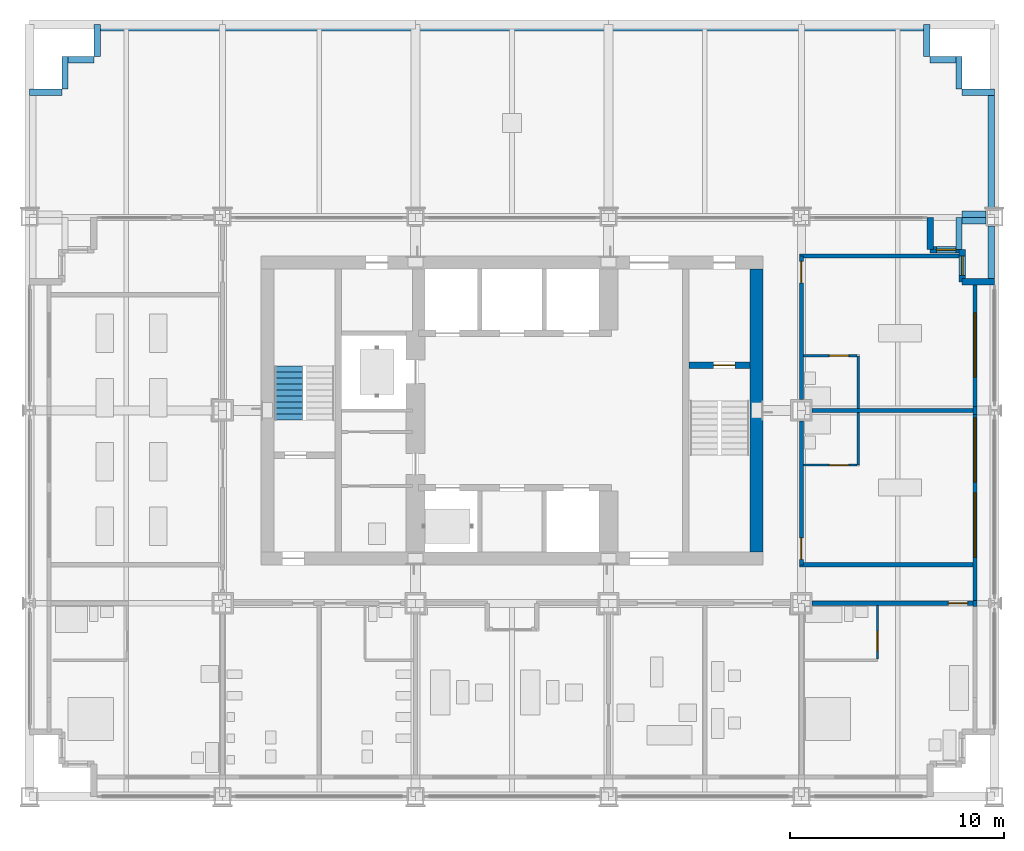
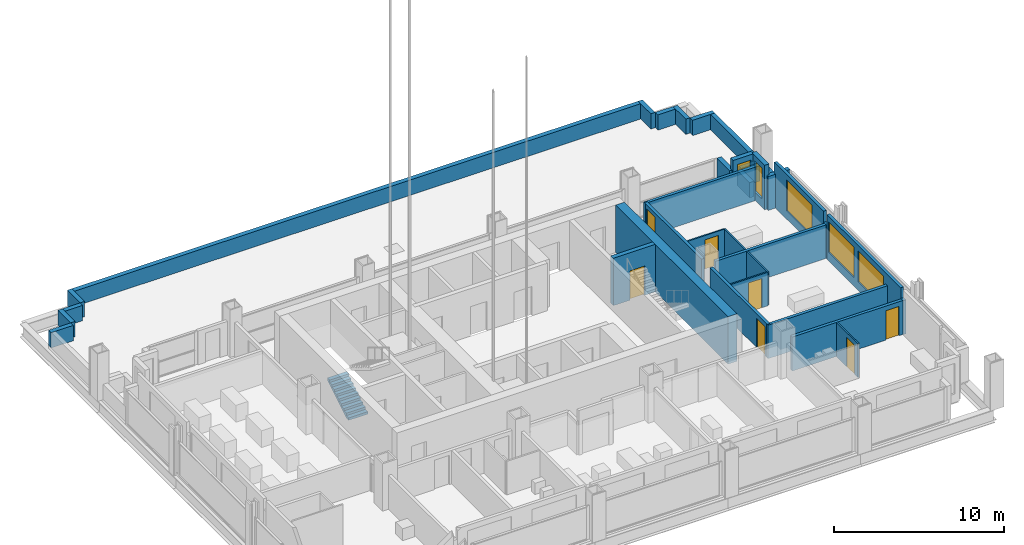
# One storey, part 10 of 15: 35 walls, 7 doors, 5 windows, 1 stair flight, 12 openings, 1 element without a shape of its own.
"""IFC4 building model written with IfcOpenShell, lengths in metres."""

from ifc_helpers import new_model, si_unit, direction, frame, frame_2d, origin, place, context, subcontext, project, spatial, polyline, rectangle, outline, extrude, material, layer, layer_set, type_object, element, fill, aggregate, save


model = new_model("IFC4")

# Units and contexts
model_context = context("Model", 3, precision=1e-05, world=origin(), true_north=direction((0.0, 1.0)))
body_context = subcontext(model_context, "Body", "Model", "MODEL_VIEW")
ifc_project = project(units=[si_unit("LENGTHUNIT", "METRE"), si_unit("AREAUNIT", "SQUARE_METRE"), si_unit("VOLUMEUNIT", "CUBIC_METRE"), si_unit("PLANEANGLEUNIT", "RADIAN"), si_unit("MASSUNIT", "GRAM", prefix="KILO")], contexts=[model_context])

# Site, building, storey
site_placement = place(None, origin())
site = spatial("IfcSite", under=ifc_project, at=site_placement, CompositionType="ELEMENT")
building_placement = place(site_placement, origin())
building = spatial("IfcBuilding", under=site, at=building_placement, Name="Loomwork Tower", CompositionType="ELEMENT")
storey_placement = place(building_placement, frame((0.0, 0.0, 160.39990234375)))
storey = spatial("IfcBuildingStorey", under=building, at=storey_placement, Name="L43", CompositionType="ELEMENT", Elevation=160.39990234375)

# Wall, opening, door
ifc_material_1 = material(Name="Concrete 14000 psi (97 MPa)", Category="concrete")
ifc_layer_1 = layer(ifc_material_1, 0.300048828125)
ifc_layer_set_1 = layer_set([ifc_layer_1], Name="Core shear wall 300")
wall_type_1 = type_object("IfcWallType", Name="Core shear wall 300", PredefinedType="SHEAR", material=ifc_layer_set_1)
wall_1_placement = place(storey_placement, frame((30.75, 20.10009765625, 0.0), z_axis=(0.0, 0.0, 1.0), x_axis=(1.0, 0.0, 0.0)))
wall_1 = element("IfcWall", 1, at=wall_1_placement, inside=storey, type_object=wall_type_1, Name="Stair B north wall L43", PredefinedType="SHEAR", context=body_context, shape_type="SweptSolid", body=[
    extrude(rectangle(XDim=2.85009765625, YDim=0.300048828125, at=frame_2d((1.425048828125, 0.0))), origin(), (0.0, 0.0, 1.0), 3.400146484375),
])
opening_1_placement = place(wall_1_placement, frame((1.14990234375, 0.0, 0.0)))
opening_1 = element("IfcOpeningElement", 2, at=opening_1_placement, cuts=wall_1, Name="Opening D4", PredefinedType="OPENING", context=body_context, shape_type="SweptSolid", body=[
    extrude(rectangle(XDim=1.0, YDim=2.10009765625, at=frame_2d((0.5, 1.050048828125))), frame((0.0, 0.159912109375, 0.0), z_axis=(0.0, -1.0, 0.0), x_axis=(1.0, 0.0, 0.0)), (0.0, 0.0, 1.0), 0.320068359375),
])
ifc_material_2 = material(Name="Hollow metal door and frame")
door_type_1 = type_object("IfcDoorType", Name="Stair door 1000", OperationType="SINGLE_SWING_RIGHT", PredefinedType="DOOR", material=ifc_material_2)
door_1_placement = place(opening_1_placement, frame((1.0, 0.0, 0.0), z_axis=(0.0, 0.0, 1.0), x_axis=(-1.0, 0.0, 0.0)))
door_1 = element("IfcDoor", 3, at=door_1_placement, inside=storey, type_object=door_type_1, Name="Stair B door", OperationType="SINGLE_SWING_LEFT", OverallHeight=2.10009765625, OverallWidth=1.0, PredefinedType="DOOR", context=body_context, shape_type="SweptSolid", body=[
    extrude(rectangle(XDim=1.0, YDim=2.10009765625, at=frame_2d((0.5, 1.050048828125))), frame((0.0, 0.02490234375, 0.0), z_axis=(0.0, -1.0, 0.0), x_axis=(1.0, 0.0, 0.0)), (0.0, 0.0, 1.0), 0.050048828125),
])
fill(opening_1, door_1)

# Wall
ifc_material_3 = material(Name="Concrete 14000 psi (97 MPa)", Category="concrete")
ifc_layer_2 = layer(ifc_material_3, 0.60009765625)
ifc_layer_set_2 = layer_set([ifc_layer_2], Name="Core shear wall 600")
wall_type_2 = type_object("IfcWallType", Name="Core shear wall 600", PredefinedType="SHEAR", material=ifc_layer_set_2)
wall_2_placement = place(storey_placement, frame((33.89990234375, 11.39990234375, 0.0), z_axis=(0.0, 0.0, 1.0), x_axis=(0.0, 1.0, 0.0)))
element("IfcWall", 4, at=wall_2_placement, inside=storey, type_object=wall_type_2, Name="Core wall east L43", PredefinedType="SHEAR", context=body_context, shape_type="SweptSolid", body=[
    extrude(rectangle(XDim=13.2001953125, YDim=0.60009765625, at=frame_2d((6.60009765625, 0.0))), origin(), (0.0, 0.0, 1.0), 3.400146484375),
])

# Wall, opening, door
ifc_material_4 = material(Name="Gypsum board on steel studs, one-hour", Category="steel")
ifc_layer_3 = layer(ifc_material_4, 0.199951171875)
ifc_layer_set_3 = layer_set([ifc_layer_3], Name="Corridor wall 200")
wall_type_3 = type_object("IfcWallType", Name="Corridor wall 200", PredefinedType="PARTITIONING", material=ifc_layer_set_3)
wall_3_placement = place(storey_placement, frame((36.5, 9.0, 0.0), z_axis=(0.0, 0.0, 1.0), x_axis=(1.0, 0.0, 0.0)))
wall_3 = element("IfcWall", 5, at=wall_3_placement, inside=storey, type_object=wall_type_3, Name="South corridor wall 5", PredefinedType="PARTITIONING", context=body_context, shape_type="SweptSolid", body=[
    extrude(rectangle(XDim=7.5, YDim=0.199951171875, at=frame_2d((3.75, 0.0))), origin(), (0.0, 0.0, 1.0), 2.43798828125),
])
opening_2_placement = place(wall_3_placement, frame((6.35009765625, 0.0, 0.0)))
opening_2 = element("IfcOpeningElement", 6, at=opening_2_placement, cuts=wall_3, Name="Opening D1", PredefinedType="OPENING", context=body_context, shape_type="SweptSolid", body=[
    extrude(rectangle(XDim=0.89990234375, YDim=2.10009765625, at=frame_2d((0.449951171875, 1.050048828125))), frame((0.0, 0.10986328125, 0.0), z_axis=(0.0, -1.0, 0.0), x_axis=(1.0, 0.0, 0.0)), (0.0, 0.0, 1.0), 0.219970703125),
])
ifc_material_5 = material(Name="Hollow metal door and frame")
door_type_2 = type_object("IfcDoorType", Name="Guest room entry door 900", OperationType="SINGLE_SWING_LEFT", PredefinedType="DOOR", material=ifc_material_5)
door_2_placement = place(opening_2_placement, frame((0.89990234375, 0.0, 0.0), z_axis=(0.0, 0.0, 1.0), x_axis=(-1.0, 0.0, 0.0)))
door_2 = element("IfcDoor", 7, at=door_2_placement, inside=storey, type_object=door_type_2, Name="Guest room entry door L43 7", OperationType="SINGLE_SWING_LEFT", OverallHeight=2.10009765625, OverallWidth=0.89990234375, PredefinedType="DOOR", context=body_context, shape_type="SweptSolid", body=[
    extrude(rectangle(XDim=0.89990234375, YDim=2.10009765625, at=frame_2d((0.449951171875, 1.050048828125))), frame((0.0, 0.02490234375, 0.0), z_axis=(0.0, -1.0, 0.0), x_axis=(1.0, 0.0, 0.0)), (0.0, 0.0, 1.0), 0.050048828125),
])
fill(opening_2, door_2)

wall_4_placement = place(storey_placement, frame((36.0, 10.800048828125, 0.0), z_axis=(0.0, 0.0, 1.0), x_axis=(0.0, 1.0, 0.0)))
wall_4 = element("IfcWall", 8, at=wall_4_placement, inside=storey, type_object=wall_type_3, Name="East corridor wall 1", PredefinedType="PARTITIONING", context=body_context, shape_type="SweptSolid", body=[
    extrude(rectangle(XDim=6.699951171875, YDim=0.199951171875, at=frame_2d((3.35009765625, 0.0))), origin(), (0.0, 0.0, 1.0), 2.405029296875),
])
opening_3_placement = place(wall_4_placement, frame((0.25, 0.0, 0.0)))
opening_3 = element("IfcOpeningElement", 9, at=opening_3_placement, cuts=wall_4, Name="Opening D15", PredefinedType="OPENING", context=body_context, shape_type="SweptSolid", body=[
    extrude(rectangle(XDim=1.0, YDim=2.10009765625, at=frame_2d((0.5, 1.050048828125))), frame((0.0, 0.10986328125, 0.0), z_axis=(0.0, -1.0, 0.0), x_axis=(1.0, 0.0, 0.0)), (0.0, 0.0, 1.0), 0.219970703125),
])
ifc_material_6 = material(Name="Hollow metal door and frame")
door_type_3 = type_object("IfcDoorType", Name="Fire-rated room door 1000", OperationType="SINGLE_SWING_LEFT", PredefinedType="DOOR", material=ifc_material_6)
door_3_placement = place(opening_3_placement, frame((1.0, 0.0, 0.0), z_axis=(0.0, 0.0, 1.0), x_axis=(-1.0, 0.0, 0.0)))
door_3 = element("IfcDoor", 10, at=door_3_placement, inside=storey, type_object=door_type_3, Name="Spa treatment room door L43 9", OperationType="SINGLE_SWING_RIGHT", OverallHeight=2.10009765625, OverallWidth=1.0, PredefinedType="DOOR", context=body_context, shape_type="SweptSolid", body=[
    extrude(rectangle(XDim=1.0, YDim=2.10009765625, at=frame_2d((0.5, 1.050048828125))), frame((0.0, 0.02490234375, 0.0), z_axis=(0.0, -1.0, 0.0), x_axis=(1.0, 0.0, 0.0)), (0.0, 0.0, 1.0), 0.050048828125),
])
fill(opening_3, door_3)

wall_5_placement = place(storey_placement, frame((36.0, 18.5, 0.0), z_axis=(0.0, 0.0, 1.0), x_axis=(0.0, 1.0, 0.0)))
wall_5 = element("IfcWall", 11, at=wall_5_placement, inside=storey, type_object=wall_type_3, Name="East corridor wall 2", PredefinedType="PARTITIONING", context=body_context, shape_type="SweptSolid", body=[
    extrude(rectangle(XDim=6.699951171875, YDim=0.199951171875, at=frame_2d((3.35009765625, 0.0))), origin(), (0.0, 0.0, 1.0), 2.405029296875),
])
opening_4_placement = place(wall_5_placement, frame((5.449951171875, 0.0, 0.0)))
opening_4 = element("IfcOpeningElement", 12, at=opening_4_placement, cuts=wall_5, Name="Opening D15", PredefinedType="OPENING", context=body_context, shape_type="SweptSolid", body=[
    extrude(rectangle(XDim=1.0, YDim=2.10009765625, at=frame_2d((0.5, 1.050048828125))), frame((0.0, 0.10986328125, 0.0), z_axis=(0.0, -1.0, 0.0), x_axis=(1.0, 0.0, 0.0)), (0.0, 0.0, 1.0), 0.219970703125),
])
door_4_placement = place(opening_4_placement, frame((1.0, 0.0, 0.0), z_axis=(0.0, 0.0, 1.0), x_axis=(-1.0, 0.0, 0.0)))
door_4 = element("IfcDoor", 13, at=door_4_placement, inside=storey, type_object=door_type_3, Name="Spa treatment room door L43 10", OperationType="SINGLE_SWING_LEFT", OverallHeight=2.10009765625, OverallWidth=1.0, PredefinedType="DOOR", context=body_context, shape_type="SweptSolid", body=[
    extrude(rectangle(XDim=1.0, YDim=2.10009765625, at=frame_2d((0.5, 1.050048828125))), frame((0.0, 0.02490234375, 0.0), z_axis=(0.0, -1.0, 0.0), x_axis=(1.0, 0.0, 0.0)), (0.0, 0.0, 1.0), 0.050048828125),
])
fill(opening_4, door_4)

# Walls
wall_6_placement = place(storey_placement, frame((35.89990234375, 10.800048828125, 0.0), z_axis=(0.0, 0.0, 1.0), x_axis=(1.0, 0.0, 0.0)))
element("IfcWall", 14, at=wall_6_placement, inside=storey, type_object=wall_type_3, Name="East band end wall S", PredefinedType="PARTITIONING", context=body_context, shape_type="SweptSolid", body=[
    extrude(rectangle(XDim=8.10009765625, YDim=0.199951171875, at=frame_2d((4.050048828125, 0.0))), origin(), (0.0, 0.0, 1.0), 2.404052734375),
])
wall_7_placement = place(storey_placement, frame((35.89990234375, 25.199951171875, 0.0), z_axis=(0.0, 0.0, 1.0), x_axis=(1.0, 0.0, 0.0)))
element("IfcWall", 15, at=wall_7_placement, inside=storey, type_object=wall_type_3, Name="East band end wall N", PredefinedType="PARTITIONING", context=body_context, shape_type="SweptSolid", body=[
    extrude(rectangle(XDim=7.4501953125, YDim=0.199951171875, at=frame_2d((3.72509765625, 0.0))), origin(), (0.0, 0.0, 1.0), 2.404052734375),
])

# Wall, opening, door
ifc_material_7 = material(Name="Cement board on steel studs", Category="steel")
ifc_layer_4 = layer(ifc_material_7, 0.10009765625)
ifc_layer_set_4 = layer_set([ifc_layer_4], Name="En-suite partition 100")
wall_type_4 = type_object("IfcWallType", Name="En-suite partition 100", PredefinedType="PARTITIONING", material=ifc_layer_set_4)
wall_8_placement = place(storey_placement, frame((39.550048828125, 8.89990234375, 0.0), z_axis=(0.0, 0.0, 1.0), x_axis=(0.0, -1.0, 0.0)))
wall_8 = element("IfcWall", 16, at=wall_8_placement, inside=storey, type_object=wall_type_4, Name="En-suite side wall L43 room 7", PredefinedType="PARTITIONING", context=body_context, shape_type="SweptSolid", body=[
    extrude(rectangle(XDim=2.5, YDim=0.10009765625, at=frame_2d((1.25, 0.0))), origin(), (0.0, 0.0, 1.0), 2.43798828125),
])
opening_5_placement = place(wall_8_placement, frame((1.199951171875, 0.0, 0.0)))
opening_5 = element("IfcOpeningElement", 17, at=opening_5_placement, cuts=wall_8, Name="Opening D2", PredefinedType="OPENING", context=body_context, shape_type="SweptSolid", body=[
    extrude(rectangle(XDim=0.89990234375, YDim=2.10009765625, at=frame_2d((0.449951171875, 1.050048828125))), frame((0.0, 0.06005859375, 0.0), z_axis=(0.0, -1.0, 0.0), x_axis=(1.0, 0.0, 0.0)), (0.0, 0.0, 1.0), 0.1201171875),
])
ifc_material_8 = material(Name="Hollow metal door and frame")
door_type_4 = type_object("IfcDoorType", Name="En-suite door 900", OperationType="SINGLE_SWING_LEFT", PredefinedType="DOOR", material=ifc_material_8)
door_5_placement = place(opening_5_placement, frame((0.89990234375, 0.0, 0.0), z_axis=(0.0, 0.0, 1.0), x_axis=(-1.0, 0.0, 0.0)))
door_5 = element("IfcDoor", 18, at=door_5_placement, inside=storey, type_object=door_type_4, Name="En-suite door room 7", OperationType="SINGLE_SWING_LEFT", OverallHeight=2.10009765625, OverallWidth=0.89990234375, PredefinedType="DOOR", context=body_context, shape_type="SweptSolid", body=[
    extrude(rectangle(XDim=0.89990234375, YDim=2.10009765625, at=frame_2d((0.449951171875, 1.050048828125))), frame((0.0, 0.02490234375, 0.0), z_axis=(0.0, -1.0, 0.0), x_axis=(1.0, 0.0, 0.0)), (0.0, 0.0, 1.0), 0.050048828125),
])
fill(opening_5, door_5)

# Wall
wall_9_placement = place(storey_placement, frame((38.64990234375, 15.449951171875, 0.0), z_axis=(0.0, 0.0, 1.0), x_axis=(0.0, 1.0, 0.0)))
element("IfcWall", 19, at=wall_9_placement, inside=storey, type_object=wall_type_4, Name="En-suite wall L43 room 9", PredefinedType="PARTITIONING", context=body_context, shape_type="SweptSolid", body=[
    extrude(rectangle(XDim=2.449951171875, YDim=0.10009765625, at=frame_2d((1.22509765625, 0.0))), origin(), (0.0, 0.0, 1.0), 2.404052734375),
])

# Wall, opening, door
wall_10_placement = place(storey_placement, frame((36.10009765625, 15.449951171875, 0.0), z_axis=(0.0, 0.0, 1.0), x_axis=(1.0, 0.0, 0.0)))
wall_10 = element("IfcWall", 20, at=wall_10_placement, inside=storey, type_object=wall_type_4, Name="En-suite side wall L43 room 9", PredefinedType="PARTITIONING", context=body_context, shape_type="SweptSolid", body=[
    extrude(rectangle(XDim=2.5, YDim=0.10009765625, at=frame_2d((1.25, 0.0))), origin(), (0.0, 0.0, 1.0), 2.404052734375),
])
opening_6_placement = place(wall_10_placement, frame((1.199951171875, 0.0, 0.0)))
opening_6 = element("IfcOpeningElement", 21, at=opening_6_placement, cuts=wall_10, Name="Opening D2", PredefinedType="OPENING", context=body_context, shape_type="SweptSolid", body=[
    extrude(rectangle(XDim=0.89990234375, YDim=2.10009765625, at=frame_2d((0.449951171875, 1.050048828125))), frame((0.0, 0.06005859375, 0.0), z_axis=(0.0, -1.0, 0.0), x_axis=(1.0, 0.0, 0.0)), (0.0, 0.0, 1.0), 0.1201171875),
])
door_6_placement = place(opening_6_placement, origin())
door_6 = element("IfcDoor", 22, at=door_6_placement, inside=storey, type_object=door_type_4, Name="Treatment shower room door room 9", OperationType="SINGLE_SWING_RIGHT", OverallHeight=2.10009765625, OverallWidth=0.89990234375, PredefinedType="DOOR", context=body_context, shape_type="SweptSolid", body=[
    extrude(rectangle(XDim=0.89990234375, YDim=2.10009765625, at=frame_2d((0.449951171875, 1.050048828125))), frame((0.0, 0.02490234375, 0.0), z_axis=(0.0, -1.0, 0.0), x_axis=(1.0, 0.0, 0.0)), (0.0, 0.0, 1.0), 0.050048828125),
])
fill(opening_6, door_6)

# Wall
wall_11_placement = place(storey_placement, frame((38.64990234375, 18.10009765625, 0.0), z_axis=(0.0, 0.0, 1.0), x_axis=(0.0, 1.0, 0.0)))
element("IfcWall", 23, at=wall_11_placement, inside=storey, type_object=wall_type_4, Name="En-suite wall L43 room 10", PredefinedType="PARTITIONING", context=body_context, shape_type="SweptSolid", body=[
    extrude(rectangle(XDim=2.449951171875, YDim=0.10009765625, at=frame_2d((1.22509765625, 0.0))), origin(), (0.0, 0.0, 1.0), 2.404052734375),
])

# Wall, opening, door
wall_12_placement = place(storey_placement, frame((36.10009765625, 20.550048828125, 0.0), z_axis=(0.0, 0.0, 1.0), x_axis=(1.0, 0.0, 0.0)))
wall_12 = element("IfcWall", 24, at=wall_12_placement, inside=storey, type_object=wall_type_4, Name="En-suite side wall L43 room 10", PredefinedType="PARTITIONING", context=body_context, shape_type="SweptSolid", body=[
    extrude(rectangle(XDim=2.5, YDim=0.10009765625, at=frame_2d((1.25, 0.0))), origin(), (0.0, 0.0, 1.0), 2.404052734375),
])
opening_7_placement = place(wall_12_placement, frame((1.199951171875, 0.0, 0.0)))
opening_7 = element("IfcOpeningElement", 25, at=opening_7_placement, cuts=wall_12, Name="Opening D2", PredefinedType="OPENING", context=body_context, shape_type="SweptSolid", body=[
    extrude(rectangle(XDim=0.89990234375, YDim=2.10009765625, at=frame_2d((0.449951171875, 1.050048828125))), frame((0.0, 0.06005859375, 0.0), z_axis=(0.0, -1.0, 0.0), x_axis=(1.0, 0.0, 0.0)), (0.0, 0.0, 1.0), 0.1201171875),
])
door_7_placement = place(opening_7_placement, frame((0.89990234375, 0.0, 0.0), z_axis=(0.0, 0.0, 1.0), x_axis=(-1.0, 0.0, 0.0)))
door_7 = element("IfcDoor", 26, at=door_7_placement, inside=storey, type_object=door_type_4, Name="Treatment shower room door room 10", OperationType="SINGLE_SWING_LEFT", OverallHeight=2.10009765625, OverallWidth=0.89990234375, PredefinedType="DOOR", context=body_context, shape_type="SweptSolid", body=[
    extrude(rectangle(XDim=0.89990234375, YDim=2.10009765625, at=frame_2d((0.449951171875, 1.050048828125))), frame((0.0, 0.02490234375, 0.0), z_axis=(0.0, -1.0, 0.0), x_axis=(1.0, 0.0, 0.0)), (0.0, 0.0, 1.0), 0.050048828125),
])
fill(opening_7, door_7)

# Walls
ifc_material_9 = material(Name="Gypsum board on steel studs, acoustic", Category="steel")
ifc_layer_5 = layer(ifc_material_9, 0.199951171875)
ifc_layer_set_5 = layer_set([ifc_layer_5], Name="Guest room party wall 200")
wall_type_5 = type_object("IfcWallType", Name="Guest room party wall 200", PredefinedType="PARTITIONING", material=ifc_layer_set_5)
wall_13_placement = place(storey_placement, frame((36.5, 18.0, 0.0), z_axis=(0.0, 0.0, 1.0), x_axis=(1.0, 0.0, 0.0)))
element("IfcWall", 27, at=wall_13_placement, inside=storey, type_object=wall_type_5, Name="Guest room party wall E 18", PredefinedType="PARTITIONING", context=body_context, shape_type="SweptSolid", body=[
    extrude(rectangle(XDim=7.5, YDim=0.199951171875, at=frame_2d((3.75, 0.0))), origin(), (0.0, 0.0, 1.0), 2.405029296875),
])
ifc_material_10 = material(Name="Insulated steel stud wall with gypsum lining", Category="steel")
ifc_layer_6 = layer(ifc_material_10, 0.199951171875)
ifc_layer_set_6 = layer_set([ifc_layer_6], Name="Inner skin wall 200")
wall_type_6 = type_object("IfcWallType", Name="Inner skin wall 200", PredefinedType="SOLIDWALL", material=ifc_layer_set_6)
wall_14_placement = place(storey_placement, frame((44.10009765625, 8.86474609375, 0.0), z_axis=(0.0, 0.0, 1.0), x_axis=(0.0, 1.0, 0.0)))
element("IfcWall", 28, at=wall_14_placement, inside=storey, type_object=wall_type_6, Name="Inner skin wall E bay 4", PredefinedType="SOLIDWALL", context=body_context, shape_type="SweptSolid", body=[
    extrude(rectangle(XDim=0.2705078125, YDim=0.199951171875, at=frame_2d((0.13525390625, 0.0))), origin(), (0.0, 0.0, 1.0), 2.43798828125),
])

# Wall, openings, windows
wall_15_placement = place(storey_placement, frame((44.10009765625, 9.13525390625, 0.0), z_axis=(0.0, 0.0, 1.0), x_axis=(0.0, 1.0, 0.0)))
wall_15 = element("IfcWall", 29, at=wall_15_placement, inside=storey, type_object=wall_type_6, Name="Inner skin wall E bay 5", PredefinedType="SOLIDWALL", context=body_context, shape_type="SweptSolid", body=[
    extrude(rectangle(XDim=8.6708984375, YDim=0.199951171875, at=frame_2d((4.33544921875, 0.0))), origin(), (0.0, 0.0, 1.0), 3.2001953125),
])
opening_8_placement = place(wall_15_placement, frame((2.0146484375, 0.0, 0.60009765625)))
opening_8 = element("IfcOpeningElement", 30, at=opening_8_placement, cuts=wall_15, Name="Opening CH1", PredefinedType="OPENING", context=body_context, shape_type="SweptSolid", body=[
    extrude(rectangle(XDim=3.0, YDim=2.199951171875, at=frame_2d((1.5, 1.10009765625))), frame((0.0, 0.10986328125, 0.0), z_axis=(0.0, -1.0, 0.0), x_axis=(1.0, 0.0, 0.0)), (0.0, 0.0, 1.0), 0.219970703125),
])
opening_9_placement = place(wall_15_placement, frame((5.5146484375, 0.0, 0.60009765625)))
opening_9 = element("IfcOpeningElement", 31, at=opening_9_placement, cuts=wall_15, Name="Opening CH1", PredefinedType="OPENING", context=body_context, shape_type="SweptSolid", body=[
    extrude(rectangle(XDim=3.0, YDim=2.199951171875, at=frame_2d((1.5, 1.10009765625))), frame((0.0, 0.10986328125, 0.0), z_axis=(0.0, -1.0, 0.0), x_axis=(1.0, 0.0, 0.0)), (0.0, 0.0, 1.0), 0.219970703125),
])
ifc_material_11 = material(Name="Aluminium frame with clear insulated glass", Category="aluminium")
window_type_1 = type_object("IfcWindowType", Name="Chicago window 3000", PartitioningType="TRIPLE_PANEL_VERTICAL", PredefinedType="WINDOW", material=ifc_material_11)
window_1_placement = place(opening_8_placement, origin())
window_1 = element("IfcWindow", 32, at=window_1_placement, inside=storey, type_object=window_type_1, Name="Chicago window L43 bay 8", OverallHeight=2.199951171875, OverallWidth=3.0, PartitioningType="TRIPLE_PANEL_VERTICAL", PredefinedType="WINDOW", context=body_context, shape_type="SweptSolid", body=[
    extrude(rectangle(XDim=3.0, YDim=2.199951171875, at=frame_2d((1.5, 1.10009765625))), frame((0.0, 0.030029296875, 0.0), z_axis=(0.0, -1.0, 0.0), x_axis=(1.0, 0.0, 0.0)), (0.0, 0.0, 1.0), 0.06005859375),
])
fill(opening_8, window_1)
window_2_placement = place(opening_9_placement, origin())
window_2 = element("IfcWindow", 33, at=window_2_placement, inside=storey, type_object=window_type_1, Name="Chicago window L43 bay 8", OverallHeight=2.199951171875, OverallWidth=3.0, PartitioningType="TRIPLE_PANEL_VERTICAL", PredefinedType="WINDOW", context=body_context, shape_type="SweptSolid", body=[
    extrude(rectangle(XDim=3.0, YDim=2.199951171875, at=frame_2d((1.5, 1.10009765625))), frame((0.0, 0.030029296875, 0.0), z_axis=(0.0, -1.0, 0.0), x_axis=(1.0, 0.0, 0.0)), (0.0, 0.0, 1.0), 0.06005859375),
])
fill(opening_9, window_2)

# Wall
wall_16_placement = place(storey_placement, frame((44.10009765625, 17.80615234375, 0.0), z_axis=(0.0, 0.0, 1.0), x_axis=(0.0, 1.0, 0.0)))
element("IfcWall", 34, at=wall_16_placement, inside=storey, type_object=wall_type_6, Name="Inner skin wall E bay 6", PredefinedType="SOLIDWALL", context=body_context, shape_type="SweptSolid", body=[
    extrude(rectangle(XDim=0.3876953125, YDim=0.199951171875, at=frame_2d((0.19384765625, 0.0))), origin(), (0.0, 0.0, 1.0), 2.404052734375),
])

# Wall, opening, window
wall_17_placement = place(storey_placement, frame((44.10009765625, 18.19384765625, 0.0), z_axis=(0.0, 0.0, 1.0), x_axis=(0.0, 1.0, 0.0)))
wall_17 = element("IfcWall", 35, at=wall_17_placement, inside=storey, type_object=wall_type_6, Name="Inner skin wall E bay 7", PredefinedType="SOLIDWALL", context=body_context, shape_type="SweptSolid", body=[
    extrude(rectangle(XDim=5.80615234375, YDim=0.199951171875, at=frame_2d((2.903076171875, 0.0))), origin(), (0.0, 0.0, 1.0), 3.2001953125),
])
opening_10_placement = place(wall_17_placement, frame((1.356201171875, 0.0, 0.60009765625)))
opening_10 = element("IfcOpeningElement", 36, at=opening_10_placement, cuts=wall_17, Name="Opening CH1", PredefinedType="OPENING", context=body_context, shape_type="SweptSolid", body=[
    extrude(rectangle(XDim=3.0, YDim=2.199951171875, at=frame_2d((1.5, 1.10009765625))), frame((0.0, 0.10986328125, 0.0), z_axis=(0.0, -1.0, 0.0), x_axis=(1.0, 0.0, 0.0)), (0.0, 0.0, 1.0), 0.219970703125),
])
window_3_placement = place(opening_10_placement, origin())
window_3 = element("IfcWindow", 37, at=window_3_placement, inside=storey, type_object=window_type_1, Name="Chicago window L43 bay 9", OverallHeight=2.199951171875, OverallWidth=3.0, PartitioningType="TRIPLE_PANEL_VERTICAL", PredefinedType="WINDOW", context=body_context, shape_type="SweptSolid", body=[
    extrude(rectangle(XDim=3.0, YDim=2.199951171875, at=frame_2d((1.5, 1.10009765625))), frame((0.0, 0.030029296875, 0.0), z_axis=(0.0, -1.0, 0.0), x_axis=(1.0, 0.0, 0.0)), (0.0, 0.0, 1.0), 0.06005859375),
])
fill(opening_10, window_3)

# Wall
ifc_material_12 = material(Name="Limestone on concrete masonry", Category="masonry")
ifc_layer_7 = layer(ifc_material_12, 0.300048828125)
ifc_layer_set_7 = layer_set([ifc_layer_7], Name="Limestone corner wall 300")
wall_type_7 = type_object("IfcWallType", Name="Limestone corner wall 300", PredefinedType="SOLIDWALL", material=ifc_layer_set_7)
wall_18_placement = place(storey_placement, frame((45.0, 24.0, 0.0), z_axis=(0.0, 0.0, 1.0), x_axis=(-1.0, 0.0, 0.0)))
element("IfcWall", 38, at=wall_18_placement, inside=storey, type_object=wall_type_7, Name="Stone corner wall NE 1", PredefinedType="SOLIDWALL", context=body_context, shape_type="SweptSolid", body=[
    extrude(rectangle(XDim=1.5, YDim=0.300048828125, at=frame_2d((0.75, 0.0))), origin(), (0.0, 0.0, 1.0), 2.420166015625),
])

# Wall, opening, window
wall_19_placement = place(storey_placement, frame((43.5, 24.0, 0.0), z_axis=(0.0, 0.0, 1.0), x_axis=(0.0, 1.0, 0.0)))
wall_19 = element("IfcWall", 39, at=wall_19_placement, inside=storey, type_object=wall_type_7, Name="Stone corner wall NE 2", PredefinedType="SOLIDWALL", context=body_context, shape_type="SweptSolid", body=[
    extrude(rectangle(XDim=1.5, YDim=0.300048828125, at=frame_2d((0.75, 0.0))), origin(), (0.0, 0.0, 1.0), 3.2001953125),
])
opening_11_placement = place(wall_19_placement, frame((0.300048828125, 0.0, 0.60009765625)))
opening_11 = element("IfcOpeningElement", 40, at=opening_11_placement, cuts=wall_19, Name="Opening CH2", PredefinedType="OPENING", context=body_context, shape_type="SweptSolid", body=[
    extrude(rectangle(XDim=0.89990234375, YDim=2.199951171875, at=frame_2d((0.449951171875, 1.10009765625))), frame((0.0, 0.159912109375, 0.0), z_axis=(0.0, -1.0, 0.0), x_axis=(1.0, 0.0, 0.0)), (0.0, 0.0, 1.0), 0.320068359375),
])
ifc_material_13 = material(Name="Aluminium frame with clear insulated glass", Category="aluminium")
window_type_2 = type_object("IfcWindowType", Name="Corner window 900", PartitioningType="SINGLE_PANEL", PredefinedType="WINDOW", material=ifc_material_13)
window_4_placement = place(opening_11_placement, origin())
window_4 = element("IfcWindow", 41, at=window_4_placement, inside=storey, type_object=window_type_2, Name="Corner window NE", OverallHeight=2.199951171875, OverallWidth=0.89990234375, PartitioningType="SINGLE_PANEL", PredefinedType="WINDOW", context=body_context, shape_type="SweptSolid", body=[
    extrude(rectangle(XDim=0.89990234375, YDim=2.199951171875, at=frame_2d((0.449951171875, 1.10009765625))), frame((0.0, 0.030029296875, 0.0), z_axis=(0.0, -1.0, 0.0), x_axis=(1.0, 0.0, 0.0)), (0.0, 0.0, 1.0), 0.06005859375),
])
fill(opening_11, window_4)

wall_20_placement = place(storey_placement, frame((43.5, 25.5, 0.0), z_axis=(0.0, 0.0, 1.0), x_axis=(-1.0, 0.0, 0.0)))
wall_20 = element("IfcWall", 42, at=wall_20_placement, inside=storey, type_object=wall_type_7, Name="Stone corner wall NE 3", PredefinedType="SOLIDWALL", context=body_context, shape_type="SweptSolid", body=[
    extrude(rectangle(XDim=1.5, YDim=0.300048828125, at=frame_2d((0.75, 0.0))), origin(), (0.0, 0.0, 1.0), 3.2001953125),
])
opening_12_placement = place(wall_20_placement, frame((0.300048828125, 0.0, 0.60009765625)))
opening_12 = element("IfcOpeningElement", 43, at=opening_12_placement, cuts=wall_20, Name="Opening CH2", PredefinedType="OPENING", context=body_context, shape_type="SweptSolid", body=[
    extrude(rectangle(XDim=0.89990234375, YDim=2.199951171875, at=frame_2d((0.449951171875, 1.10009765625))), frame((0.0, 0.159912109375, 0.0), z_axis=(0.0, -1.0, 0.0), x_axis=(1.0, 0.0, 0.0)), (0.0, 0.0, 1.0), 0.320068359375),
])
window_5_placement = place(opening_12_placement, origin())
window_5 = element("IfcWindow", 44, at=window_5_placement, inside=storey, type_object=window_type_2, Name="Corner window NE", OverallHeight=2.199951171875, OverallWidth=0.89990234375, PartitioningType="SINGLE_PANEL", PredefinedType="WINDOW", context=body_context, shape_type="SweptSolid", body=[
    extrude(rectangle(XDim=0.89990234375, YDim=2.199951171875, at=frame_2d((0.449951171875, 1.10009765625))), frame((0.0, 0.030029296875, 0.0), z_axis=(0.0, -1.0, 0.0), x_axis=(1.0, 0.0, 0.0)), (0.0, 0.0, 1.0), 0.06005859375),
])
fill(opening_12, window_5)

# Walls
wall_21_placement = place(storey_placement, frame((42.0, 25.5, 0.0), z_axis=(0.0, 0.0, 1.0), x_axis=(0.0, 1.0, 0.0)))
element("IfcWall", 45, at=wall_21_placement, inside=storey, type_object=wall_type_7, Name="Stone corner wall NE 4", PredefinedType="SOLIDWALL", context=body_context, shape_type="SweptSolid", body=[
    extrude(rectangle(XDim=1.5, YDim=0.300048828125, at=frame_2d((0.75, 0.0))), origin(), (0.0, 0.0, 1.0), 2.420166015625),
])
ifc_material_14 = material(Name="Limestone on concrete masonry", Category="masonry")
ifc_layer_8 = layer(ifc_material_14, 0.300048828125)
ifc_layer_set_8 = layer_set([ifc_layer_8], Name="Parapet wall 300")
wall_type_8 = type_object("IfcWallType", Name="Parapet wall 300", PredefinedType="PARAPET", material=ifc_layer_set_8)
for number, where, z_axis, x_axis, name in (
    (46, (0.0, 32.85009765625, 0.0), (0.0, 0.0, 1.0), (1.0, 0.0, 0.0), "Parapet L43 4"),
    (47, (1.64990234375, 33.0, 0.0), (0.0, 0.0, 1.0), (0.0, 1.0, 0.0), "Parapet L43 5"),
    (48, (1.5, 34.35009765625, 0.0), (0.0, 0.0, 1.0), (1.0, 0.0, 0.0), "Parapet L43 6"),
    (49, (3.14990234375, 34.5, 0.0), (0.0, 0.0, 1.0), (0.0, 1.0, 0.0), "Parapet L43 7"),
):
    element("IfcWall", number, at=place(storey_placement, frame(where, z_axis=z_axis, x_axis=x_axis)), inside=storey, type_object=wall_type_8, Name=name, PredefinedType="PARAPET", context=body_context, shape_type="SweptSolid", body=[
        extrude(rectangle(XDim=1.5, YDim=0.300048828125, at=frame_2d((0.75, 0.0))), origin(), (0.0, 0.0, 1.0), 1.10009765625),
    ])
wall_22_placement = place(storey_placement, frame((3.0, 35.85009765625, 0.0), z_axis=(0.0, 0.0, 1.0), x_axis=(1.0, 0.0, 0.0)))
element("IfcWall", 50, at=wall_22_placement, inside=storey, type_object=wall_type_8, Name="Parapet L43 8", PredefinedType="PARAPET", context=body_context, shape_type="SweptSolid", body=[
    extrude(rectangle(XDim=39.0, YDim=0.300048828125, at=frame_2d((19.5, 0.0))), origin(), (0.0, 0.0, 1.0), 1.10009765625),
])
for number, where, z_axis, x_axis, name in (
    (51, (41.85009765625, 36.0, 0.0), (0.0, 0.0, 1.0), (0.0, -1.0, 0.0), "Parapet L43 9"),
    (52, (42.0, 34.35009765625, 0.0), (0.0, 0.0, 1.0), (1.0, 0.0, 0.0), "Parapet L43 10"),
    (53, (43.35009765625, 34.5, 0.0), (0.0, 0.0, 1.0), (0.0, -1.0, 0.0), "Parapet L43 11"),
    (54, (43.5, 32.85009765625, 0.0), (0.0, 0.0, 1.0), (1.0, 0.0, 0.0), "Parapet L43 12"),
):
    element("IfcWall", number, at=place(storey_placement, frame(where, z_axis=z_axis, x_axis=x_axis)), inside=storey, type_object=wall_type_8, Name=name, PredefinedType="PARAPET", context=body_context, shape_type="SweptSolid", body=[
        extrude(rectangle(XDim=1.5, YDim=0.300048828125, at=frame_2d((0.75, 0.0))), origin(), (0.0, 0.0, 1.0), 1.10009765625),
    ])
wall_23_placement = place(storey_placement, frame((44.85009765625, 33.0, 0.0), z_axis=(0.0, 0.0, 1.0), x_axis=(0.0, -1.0, 0.0)))
element("IfcWall", 55, at=wall_23_placement, inside=storey, type_object=wall_type_8, Name="Parapet L43 13", PredefinedType="PARAPET", context=body_context, shape_type="SweptSolid", body=[
    extrude(rectangle(XDim=5.60009765625, YDim=0.300048828125, at=frame_2d((2.800048828125, 0.0))), origin(), (0.0, 0.0, 1.0), 1.10009765625),
])
wall_24_placement = place(storey_placement, frame((44.60009765625, 27.14990234375, 0.0), z_axis=(0.0, 0.0, 1.0), x_axis=(-1.0, 0.0, 0.0)))
element("IfcWall", 56, at=wall_24_placement, inside=storey, type_object=wall_type_8, Name="Parapet L43 14", PredefinedType="PARAPET", context=body_context, shape_type="SweptSolid", body=[
    extrude(rectangle(XDim=1.10009765625, YDim=0.300048828125, at=frame_2d((0.550048828125, 0.0))), origin(), (0.0, 0.0, 1.0), 1.10009765625),
])
wall_25_placement = place(storey_placement, frame((43.35009765625, 27.0, 0.0), z_axis=(0.0, 0.0, 1.0), x_axis=(0.0, -1.0, 0.0)))
element("IfcWall", 57, at=wall_25_placement, inside=storey, type_object=wall_type_8, Name="Parapet L43 15", PredefinedType="PARAPET", context=body_context, shape_type="SweptSolid", body=[
    extrude(rectangle(XDim=1.5, YDim=0.300048828125, at=frame_2d((0.75, 0.0))), origin(), (0.0, 0.0, 1.0), 1.10009765625),
])
wall_26_placement = place(storey_placement, frame((43.5, 26.85009765625, 0.0), z_axis=(0.0, 0.0, 1.0), x_axis=(1.0, 0.0, 0.0)))
element("IfcWall", 58, at=wall_26_placement, inside=storey, type_object=wall_type_8, Name="Parapet L43 1", PredefinedType="PARAPET", context=body_context, shape_type="SweptSolid", body=[
    extrude(rectangle(XDim=1.10009765625, YDim=0.300048828125, at=frame_2d((0.550048828125, 0.0))), origin(), (0.0, 0.0, 1.0), 1.10009765625),
])
wall_27_placement = place(storey_placement, frame((44.85009765625, 26.60009765625, 0.0), z_axis=(0.0, 0.0, 1.0), x_axis=(0.0, -1.0, 0.0)))
element("IfcWall", 59, at=wall_27_placement, inside=storey, type_object=wall_type_8, Name="Parapet L43 2", PredefinedType="PARAPET", context=body_context, shape_type="SweptSolid", body=[
    extrude(rectangle(XDim=2.60009765625, YDim=0.300048828125, at=frame_2d((1.300048828125, 0.0))), origin(), (0.0, 0.0, 1.0), 1.10009765625),
])

# Stair, stair flight
ifc_material_15 = material(Name="Concrete 5000 psi (34 MPa) precast stair", Category="concrete")
stair_type = type_object("IfcStairType", Name="Stair ST-A 20 risers 2850 wide", PredefinedType="HALF_TURN_STAIR", material=ifc_material_15)
stair_placement = place(storey_placement, origin())
stair = element("IfcStair", 60, at=stair_placement, inside=storey, type_object=stair_type, Name="Stair A L43", PredefinedType="HALF_TURN_STAIR")
ifc_material_16 = material(Name="Concrete 5000 psi (34 MPa) precast stair", Category="concrete")
stair_flight_type = type_object("IfcStairFlightType", Name="Stair flight ST-A 10 risers 1300 wide", PredefinedType="STRAIGHT", material=ifc_material_16)
stair_flight_placement = place(storey_placement, frame((12.074951171875, 17.550048828125, 0.0), z_axis=(0.0, 0.0, 1.0), x_axis=(0.0, 1.0, 0.0)))
stair_flight = element("IfcStairFlight", 61, at=stair_flight_placement, type_object=stair_flight_type, Name="ST-A flight 1", NumberOfRisers=10, NumberOfTreads=9, PredefinedType="STRAIGHT", RiserHeight=0.17, TreadLength=0.28, context=body_context, shape_type="SweptSolid", body=[
    extrude(outline(polyline([(0.0, 0.0), (0.0, 0.169921875), (0.280029296875, 0.169921875), (0.280029296875, 0.340087890625), (0.56005859375, 0.340087890625), (0.56005859375, 0.510009765625), (0.840087890625, 0.510009765625), (0.840087890625, 0.679931640625), (1.1201171875, 0.679931640625), (1.1201171875, 0.85009765625), (1.39990234375, 0.85009765625), (1.39990234375, 1.02001953125), (1.679931640625, 1.02001953125), (1.679931640625, 1.18994140625), (1.9599609375, 1.18994140625), (1.9599609375, 1.360107421875), (2.239990234375, 1.360107421875), (2.239990234375, 1.530029296875), (2.52001953125, 1.530029296875), (2.52001953125, 1.699951171875), (2.52001953125, 1.354736328125), (0.288818359375, 0.0), (0.0, 0.0)])), frame((0.0, 0.64990234375, 0.0), z_axis=(0.0, -1.0, 0.0), x_axis=(1.0, 0.0, 0.0)), (0.0, 0.0, 1.0), 1.300048828125),
])
aggregate(stair, [stair_flight])

save(model, "model.ifc")
